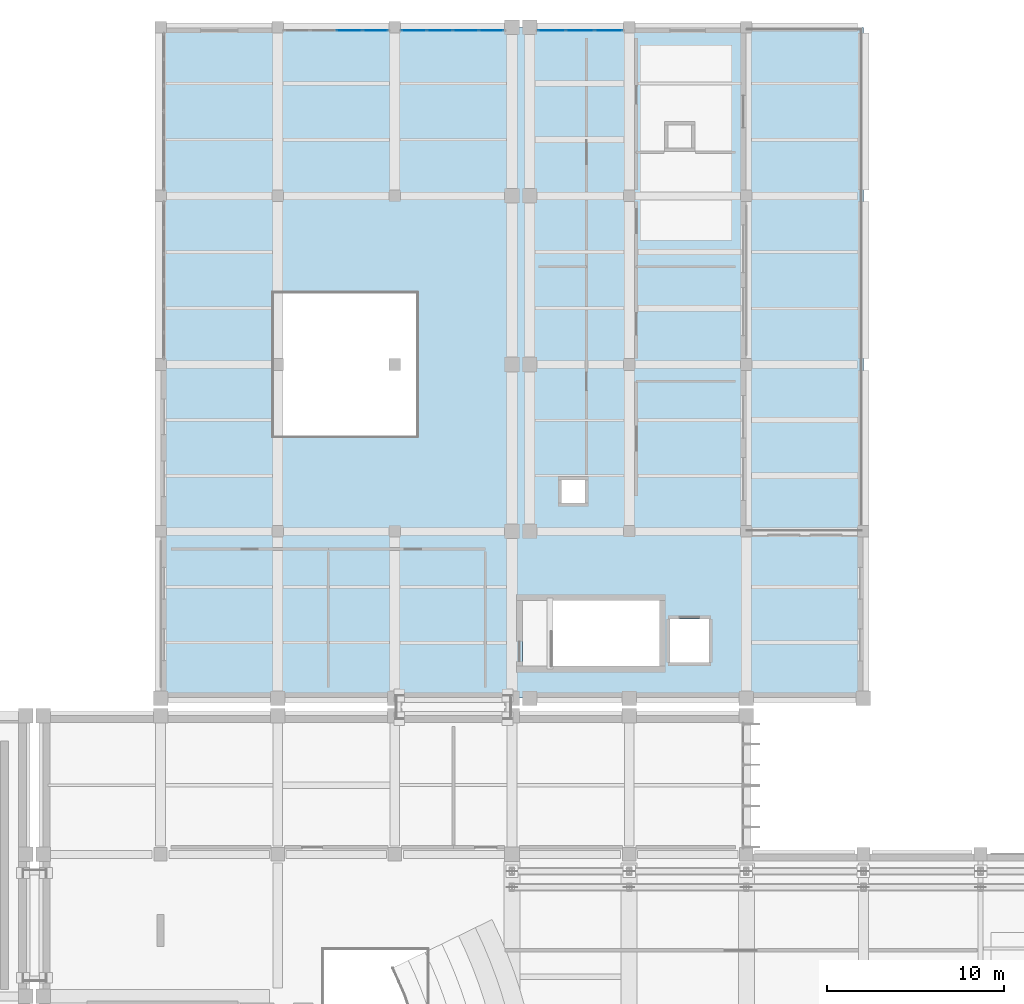
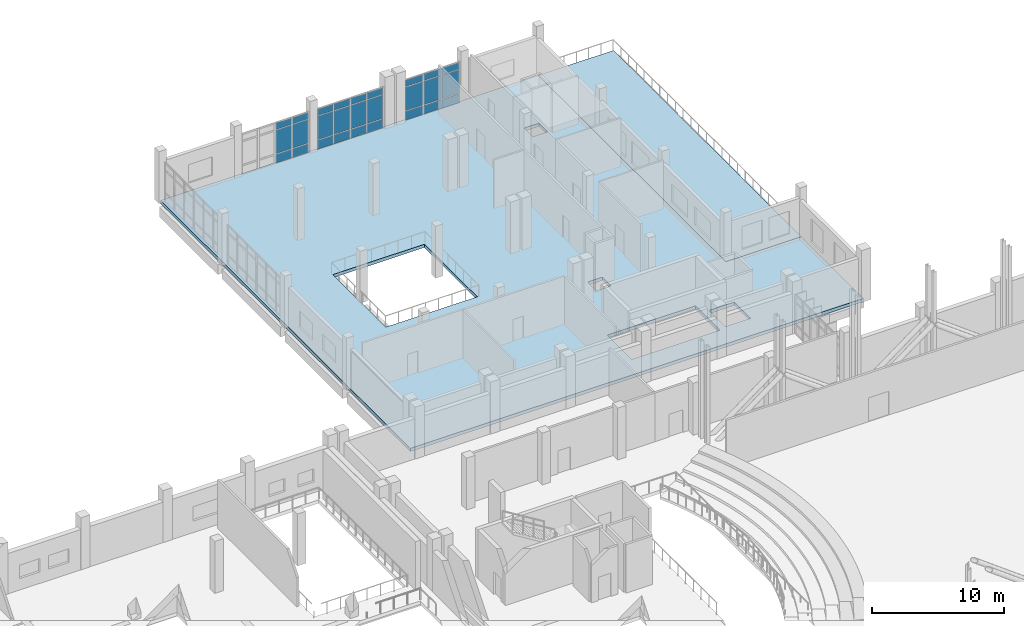
# One storey, part 45 of 73: 27 plates, 2 slabs, 3 elements without a shape of their own.
"""IFC4 building model written with IfcOpenShell, lengths in metres."""

from ifc_helpers import new_model, si_unit, direction, frame, origin, origin_2d, place, context, subcontext, project, spatial, polyline, rectangle, outline, extrude, material, layer, layer_set, type_object, element, aggregate, save


model = new_model("IFC4")

# Units and contexts
model_context = context("Model", 3, precision=1e-05, world=origin(), true_north=direction((0.0, 1.0)))
body_context = subcontext(model_context, "Body", "Model", "MODEL_VIEW")
ifc_project = project(units=[si_unit("LENGTHUNIT", "METRE"), si_unit("AREAUNIT", "SQUARE_METRE"), si_unit("VOLUMEUNIT", "CUBIC_METRE"), si_unit("PLANEANGLEUNIT", "RADIAN"), si_unit("MASSUNIT", "GRAM", prefix="KILO")], contexts=[model_context])

# Site, building, storey
site_placement = place(None, origin())
site = spatial("IfcSite", under=ifc_project, at=site_placement, CompositionType="ELEMENT")
building_placement = place(site_placement, origin())
building = spatial("IfcBuilding", under=site, at=building_placement, Name="Kelarvand Opera House", CompositionType="ELEMENT")
storey_placement = place(building_placement, frame((0.0, 0.0, 10.199951171875)))
storey = spatial("IfcBuildingStorey", under=building, at=storey_placement, Name="L02", CompositionType="ELEMENT", Elevation=10.199951171875)

# Curtain wall, plates
ifc_material_1 = material(Name="Thermally broken aluminium and low-E glazing", Category="aluminium")
ifc_layer_1 = layer(ifc_material_1, 0.179931640625, Name="Thermally broken aluminium and low-E glazing", Category="aluminium")
ifc_layer_set_1 = layer_set([ifc_layer_1], Name="Thermally broken aluminium and low-E glazing")
curtain_wall_type_1 = type_object("IfcCurtainWallType", Name="Unitised Low-E Curtain Wall 5930x3830 Mod 1450 CWF-48", PredefinedType="USERDEFINED", material=ifc_layer_set_1)
curtain_wall_1_placement = place(storey_placement, origin())
curtain_wall_1 = element("IfcCurtainWall", 1, at=curtain_wall_1_placement, inside=storey, type_object=curtain_wall_type_1, Name="V5 L02 Curtain Wall CWF-48 (194)", ObjectType="UNITISED CURTAIN WALL", PredefinedType="USERDEFINED")
ifc_material_2 = material(Name="Low-E laminated double glazing", Category="glass")
ifc_layer_2 = layer(ifc_material_2, 0.031982421875, Name="Low-E laminated double glazing", Category="glass")
ifc_layer_set_2 = layer_set([ifc_layer_2], Name="Low-E laminated double glazing")
plate_type = type_object("IfcPlateType", Name="Low-E Argon Double Glazed Curtain Panel 32mm", PredefinedType="CURTAIN_PANEL", material=ifc_layer_set_2)
plate_1_placement = place(storey_placement, frame((106.2412109375, 124.820068359375, 0.06494140625), z_axis=(0.0, 0.0, 1.0), x_axis=(1.0, 0.0, 0.0)))
plate_1 = element("IfcPlate", 2, at=plate_1_placement, type_object=plate_type, Name="CWF-48 panel 3.1", PredefinedType="CURTAIN_PANEL", context=body_context, shape_type="SweptSolid", body=[
    extrude(rectangle(XDim=1.41748046875, YDim=0.031982421875, at=origin_2d()), origin(), (0.0, 0.0, 1.0), 0.802490234375),
])
plate_2_placement = place(storey_placement, frame((106.2412109375, 124.820068359375, 0.9326171875), z_axis=(0.0, 0.0, 1.0), x_axis=(1.0, 0.0, 0.0)))
plate_2 = element("IfcPlate", 3, at=plate_2_placement, type_object=plate_type, Name="CWF-48 panel 3.2", PredefinedType="CURTAIN_PANEL", context=body_context, shape_type="SweptSolid", body=[
    extrude(rectangle(XDim=1.41748046875, YDim=0.031982421875, at=origin_2d()), origin(), (0.0, 0.0, 1.0), 2.1650390625),
])
plate_3_placement = place(storey_placement, frame((106.2412109375, 124.820068359375, 3.16259765625), z_axis=(0.0, 0.0, 1.0), x_axis=(1.0, 0.0, 0.0)))
plate_3 = element("IfcPlate", 4, at=plate_3_placement, type_object=plate_type, Name="CWF-48 panel 3.3", PredefinedType="CURTAIN_PANEL", context=body_context, shape_type="SweptSolid", body=[
    extrude(rectangle(XDim=1.41748046875, YDim=0.031982421875, at=origin_2d()), origin(), (0.0, 0.0, 1.0), 0.6025390625),
])
plate_4_placement = place(storey_placement, frame((107.70751953125, 124.820068359375, 0.06494140625), z_axis=(0.0, 0.0, 1.0), x_axis=(1.0, 0.0, 0.0)))
plate_4 = element("IfcPlate", 5, at=plate_4_placement, type_object=plate_type, Name="CWF-48 panel 4.1", PredefinedType="CURTAIN_PANEL", context=body_context, shape_type="SweptSolid", body=[
    extrude(rectangle(XDim=1.385009765625, YDim=0.031982421875, at=origin_2d()), origin(), (0.0, 0.0, 1.0), 0.802490234375),
])
plate_5_placement = place(storey_placement, frame((107.70751953125, 124.820068359375, 0.9326171875), z_axis=(0.0, 0.0, 1.0), x_axis=(1.0, 0.0, 0.0)))
plate_5 = element("IfcPlate", 6, at=plate_5_placement, type_object=plate_type, Name="CWF-48 panel 4.2", PredefinedType="CURTAIN_PANEL", context=body_context, shape_type="SweptSolid", body=[
    extrude(rectangle(XDim=1.385009765625, YDim=0.031982421875, at=origin_2d()), origin(), (0.0, 0.0, 1.0), 2.1650390625),
])
plate_6_placement = place(storey_placement, frame((107.70751953125, 124.820068359375, 3.16259765625), z_axis=(0.0, 0.0, 1.0), x_axis=(1.0, 0.0, 0.0)))
plate_6 = element("IfcPlate", 7, at=plate_6_placement, type_object=plate_type, Name="CWF-48 panel 4.3", PredefinedType="CURTAIN_PANEL", context=body_context, shape_type="SweptSolid", body=[
    extrude(rectangle(XDim=1.385009765625, YDim=0.031982421875, at=origin_2d()), origin(), (0.0, 0.0, 1.0), 0.6025390625),
])
aggregate(curtain_wall_1, [plate_1, plate_2, plate_3, plate_4, plate_5, plate_6])

ifc_layer_3 = layer(ifc_material_1, 0.179931640625, Name="Thermally broken aluminium and low-E glazing", Category="aluminium")
ifc_layer_set_3 = layer_set([ifc_layer_3], Name="Thermally broken aluminium and low-E glazing")
curtain_wall_type_2 = type_object("IfcCurtainWallType", Name="Unitised Low-E Curtain Wall 5845x3830 Mod 1450 CWF-49", PredefinedType="USERDEFINED", material=ifc_layer_set_3)
curtain_wall_2_placement = place(storey_placement, origin())
curtain_wall_2 = element("IfcCurtainWall", 8, at=curtain_wall_2_placement, inside=storey, type_object=curtain_wall_type_2, Name="V5 L02 Curtain Wall CWF-49 (195)", ObjectType="UNITISED CURTAIN WALL", PredefinedType="USERDEFINED")
plate_7_placement = place(storey_placement, frame((109.8818359375, 124.820068359375, 0.06494140625), z_axis=(0.0, 0.0, 1.0), x_axis=(1.0, 0.0, 0.0)))
plate_7 = element("IfcPlate", 9, at=plate_7_placement, type_object=plate_type, Name="CWF-49 panel 1.1", PredefinedType="CURTAIN_PANEL", context=body_context, shape_type="SweptSolid", body=[
    extrude(rectangle(XDim=1.36376953125, YDim=0.031982421875, at=origin_2d()), origin(), (0.0, 0.0, 1.0), 0.802490234375),
])
plate_8_placement = place(storey_placement, frame((109.8818359375, 124.820068359375, 0.9326171875), z_axis=(0.0, 0.0, 1.0), x_axis=(1.0, 0.0, 0.0)))
plate_8 = element("IfcPlate", 10, at=plate_8_placement, type_object=plate_type, Name="CWF-49 panel 1.2", PredefinedType="CURTAIN_PANEL", context=body_context, shape_type="SweptSolid", body=[
    extrude(rectangle(XDim=1.36376953125, YDim=0.031982421875, at=origin_2d()), origin(), (0.0, 0.0, 1.0), 2.1650390625),
])
plate_9_placement = place(storey_placement, frame((109.8818359375, 124.820068359375, 3.16259765625), z_axis=(0.0, 0.0, 1.0), x_axis=(1.0, 0.0, 0.0)))
plate_9 = element("IfcPlate", 11, at=plate_9_placement, type_object=plate_type, Name="CWF-49 panel 1.3", PredefinedType="CURTAIN_PANEL", context=body_context, shape_type="SweptSolid", body=[
    extrude(rectangle(XDim=1.36376953125, YDim=0.031982421875, at=origin_2d()), origin(), (0.0, 0.0, 1.0), 0.6025390625),
])
plate_10_placement = place(storey_placement, frame((111.326904296875, 124.820068359375, 0.06494140625), z_axis=(0.0, 0.0, 1.0), x_axis=(1.0, 0.0, 0.0)))
plate_10 = element("IfcPlate", 12, at=plate_10_placement, type_object=plate_type, Name="CWF-49 panel 2.1", PredefinedType="CURTAIN_PANEL", context=body_context, shape_type="SweptSolid", body=[
    extrude(rectangle(XDim=1.396240234375, YDim=0.031982421875, at=origin_2d()), origin(), (0.0, 0.0, 1.0), 0.802490234375),
])
plate_11_placement = place(storey_placement, frame((111.326904296875, 124.820068359375, 0.9326171875), z_axis=(0.0, 0.0, 1.0), x_axis=(1.0, 0.0, 0.0)))
plate_11 = element("IfcPlate", 13, at=plate_11_placement, type_object=plate_type, Name="CWF-49 panel 2.2", PredefinedType="CURTAIN_PANEL", context=body_context, shape_type="SweptSolid", body=[
    extrude(rectangle(XDim=1.396240234375, YDim=0.031982421875, at=origin_2d()), origin(), (0.0, 0.0, 1.0), 2.1650390625),
])
plate_12_placement = place(storey_placement, frame((111.326904296875, 124.820068359375, 3.16259765625), z_axis=(0.0, 0.0, 1.0), x_axis=(1.0, 0.0, 0.0)))
plate_12 = element("IfcPlate", 14, at=plate_12_placement, type_object=plate_type, Name="CWF-49 panel 2.3", PredefinedType="CURTAIN_PANEL", context=body_context, shape_type="SweptSolid", body=[
    extrude(rectangle(XDim=1.396240234375, YDim=0.031982421875, at=origin_2d()), origin(), (0.0, 0.0, 1.0), 0.6025390625),
])
plate_13_placement = place(storey_placement, frame((112.7880859375, 124.820068359375, 0.06494140625), z_axis=(0.0, 0.0, 1.0), x_axis=(1.0, 0.0, 0.0)))
plate_13 = element("IfcPlate", 15, at=plate_13_placement, type_object=plate_type, Name="CWF-49 panel 3.1", PredefinedType="CURTAIN_PANEL", context=body_context, shape_type="SweptSolid", body=[
    extrude(rectangle(XDim=1.396240234375, YDim=0.031982421875, at=origin_2d()), origin(), (0.0, 0.0, 1.0), 0.802490234375),
])
plate_14_placement = place(storey_placement, frame((112.7880859375, 124.820068359375, 0.9326171875), z_axis=(0.0, 0.0, 1.0), x_axis=(1.0, 0.0, 0.0)))
plate_14 = element("IfcPlate", 16, at=plate_14_placement, type_object=plate_type, Name="CWF-49 panel 3.2", PredefinedType="CURTAIN_PANEL", context=body_context, shape_type="SweptSolid", body=[
    extrude(rectangle(XDim=1.396240234375, YDim=0.031982421875, at=origin_2d()), origin(), (0.0, 0.0, 1.0), 2.1650390625),
])
plate_15_placement = place(storey_placement, frame((112.7880859375, 124.820068359375, 3.16259765625), z_axis=(0.0, 0.0, 1.0), x_axis=(1.0, 0.0, 0.0)))
plate_15 = element("IfcPlate", 17, at=plate_15_placement, type_object=plate_type, Name="CWF-49 panel 3.3", PredefinedType="CURTAIN_PANEL", context=body_context, shape_type="SweptSolid", body=[
    extrude(rectangle(XDim=1.396240234375, YDim=0.031982421875, at=origin_2d()), origin(), (0.0, 0.0, 1.0), 0.6025390625),
])
plate_16_placement = place(storey_placement, frame((114.233154296875, 124.820068359375, 0.06494140625), z_axis=(0.0, 0.0, 1.0), x_axis=(1.0, 0.0, 0.0)))
plate_16 = element("IfcPlate", 18, at=plate_16_placement, type_object=plate_type, Name="CWF-49 panel 4.1", PredefinedType="CURTAIN_PANEL", context=body_context, shape_type="SweptSolid", body=[
    extrude(rectangle(XDim=1.36376953125, YDim=0.031982421875, at=origin_2d()), origin(), (0.0, 0.0, 1.0), 0.802490234375),
])
plate_17_placement = place(storey_placement, frame((114.233154296875, 124.820068359375, 0.9326171875), z_axis=(0.0, 0.0, 1.0), x_axis=(1.0, 0.0, 0.0)))
plate_17 = element("IfcPlate", 19, at=plate_17_placement, type_object=plate_type, Name="CWF-49 panel 4.2", PredefinedType="CURTAIN_PANEL", context=body_context, shape_type="SweptSolid", body=[
    extrude(rectangle(XDim=1.36376953125, YDim=0.031982421875, at=origin_2d()), origin(), (0.0, 0.0, 1.0), 2.1650390625),
])
plate_18_placement = place(storey_placement, frame((114.233154296875, 124.820068359375, 3.16259765625), z_axis=(0.0, 0.0, 1.0), x_axis=(1.0, 0.0, 0.0)))
plate_18 = element("IfcPlate", 20, at=plate_18_placement, type_object=plate_type, Name="CWF-49 panel 4.3", PredefinedType="CURTAIN_PANEL", context=body_context, shape_type="SweptSolid", body=[
    extrude(rectangle(XDim=1.36376953125, YDim=0.031982421875, at=origin_2d()), origin(), (0.0, 0.0, 1.0), 0.6025390625),
])
aggregate(curtain_wall_2, [plate_7, plate_8, plate_9, plate_10, plate_11, plate_12, plate_13, plate_14, plate_15, plate_16, plate_17, plate_18])

ifc_layer_4 = layer(ifc_material_1, 0.179931640625, Name="Thermally broken aluminium and low-E glazing", Category="aluminium")
ifc_layer_set_4 = layer_set([ifc_layer_4], Name="Thermally broken aluminium and low-E glazing")
curtain_wall_type_3 = type_object("IfcCurtainWallType", Name="Unitised Low-E Curtain Wall 4845x3830 Mod 1450 CWF-50", PredefinedType="USERDEFINED", material=ifc_layer_set_4)
curtain_wall_3_placement = place(storey_placement, origin())
curtain_wall_3 = element("IfcCurtainWall", 21, at=curtain_wall_3_placement, inside=storey, type_object=curtain_wall_type_3, Name="V5 L02 Curtain Wall CWF-50 (196)", ObjectType="UNITISED CURTAIN WALL", PredefinedType="USERDEFINED")
plate_19_placement = place(storey_placement, frame((117.643798828125, 124.820068359375, 0.06494140625), z_axis=(0.0, 0.0, 1.0), x_axis=(1.0, 0.0, 0.0)))
plate_19 = element("IfcPlate", 22, at=plate_19_placement, type_object=plate_type, Name="CWF-50 panel 1.1", PredefinedType="CURTAIN_PANEL", context=body_context, shape_type="SweptSolid", body=[
    extrude(rectangle(XDim=1.517578125, YDim=0.031982421875, at=origin_2d()), origin(), (0.0, 0.0, 1.0), 0.802490234375),
])
plate_20_placement = place(storey_placement, frame((117.643798828125, 124.820068359375, 0.9326171875), z_axis=(0.0, 0.0, 1.0), x_axis=(1.0, 0.0, 0.0)))
plate_20 = element("IfcPlate", 23, at=plate_20_placement, type_object=plate_type, Name="CWF-50 panel 1.2", PredefinedType="CURTAIN_PANEL", context=body_context, shape_type="SweptSolid", body=[
    extrude(rectangle(XDim=1.517578125, YDim=0.031982421875, at=origin_2d()), origin(), (0.0, 0.0, 1.0), 2.1650390625),
])
plate_21_placement = place(storey_placement, frame((117.643798828125, 124.820068359375, 3.16259765625), z_axis=(0.0, 0.0, 1.0), x_axis=(1.0, 0.0, 0.0)))
plate_21 = element("IfcPlate", 24, at=plate_21_placement, type_object=plate_type, Name="CWF-50 panel 1.3", PredefinedType="CURTAIN_PANEL", context=body_context, shape_type="SweptSolid", body=[
    extrude(rectangle(XDim=1.517578125, YDim=0.031982421875, at=origin_2d()), origin(), (0.0, 0.0, 1.0), 0.6025390625),
])
plate_22_placement = place(storey_placement, frame((119.242431640625, 124.820068359375, 0.06494140625), z_axis=(0.0, 0.0, 1.0), x_axis=(1.0, 0.0, 0.0)))
plate_22 = element("IfcPlate", 25, at=plate_22_placement, type_object=plate_type, Name="CWF-50 panel 2.1", PredefinedType="CURTAIN_PANEL", context=body_context, shape_type="SweptSolid", body=[
    extrude(rectangle(XDim=1.550048828125, YDim=0.031982421875, at=origin_2d()), origin(), (0.0, 0.0, 1.0), 0.802490234375),
])
plate_23_placement = place(storey_placement, frame((119.242431640625, 124.820068359375, 0.9326171875), z_axis=(0.0, 0.0, 1.0), x_axis=(1.0, 0.0, 0.0)))
plate_23 = element("IfcPlate", 26, at=plate_23_placement, type_object=plate_type, Name="CWF-50 panel 2.2", PredefinedType="CURTAIN_PANEL", context=body_context, shape_type="SweptSolid", body=[
    extrude(rectangle(XDim=1.550048828125, YDim=0.031982421875, at=origin_2d()), origin(), (0.0, 0.0, 1.0), 2.1650390625),
])
plate_24_placement = place(storey_placement, frame((119.242431640625, 124.820068359375, 3.16259765625), z_axis=(0.0, 0.0, 1.0), x_axis=(1.0, 0.0, 0.0)))
plate_24 = element("IfcPlate", 27, at=plate_24_placement, type_object=plate_type, Name="CWF-50 panel 2.3", PredefinedType="CURTAIN_PANEL", context=body_context, shape_type="SweptSolid", body=[
    extrude(rectangle(XDim=1.550048828125, YDim=0.031982421875, at=origin_2d()), origin(), (0.0, 0.0, 1.0), 0.6025390625),
])
plate_25_placement = place(storey_placement, frame((120.84130859375, 124.820068359375, 0.06494140625), z_axis=(0.0, 0.0, 1.0), x_axis=(1.0, 0.0, 0.0)))
plate_25 = element("IfcPlate", 28, at=plate_25_placement, type_object=plate_type, Name="CWF-50 panel 3.1", PredefinedType="CURTAIN_PANEL", context=body_context, shape_type="SweptSolid", body=[
    extrude(rectangle(XDim=1.517578125, YDim=0.031982421875, at=origin_2d()), origin(), (0.0, 0.0, 1.0), 0.802490234375),
])
plate_26_placement = place(storey_placement, frame((120.84130859375, 124.820068359375, 0.9326171875), z_axis=(0.0, 0.0, 1.0), x_axis=(1.0, 0.0, 0.0)))
plate_26 = element("IfcPlate", 29, at=plate_26_placement, type_object=plate_type, Name="CWF-50 panel 3.2", PredefinedType="CURTAIN_PANEL", context=body_context, shape_type="SweptSolid", body=[
    extrude(rectangle(XDim=1.517578125, YDim=0.031982421875, at=origin_2d()), origin(), (0.0, 0.0, 1.0), 2.1650390625),
])
plate_27_placement = place(storey_placement, frame((120.84130859375, 124.820068359375, 3.16259765625), z_axis=(0.0, 0.0, 1.0), x_axis=(1.0, 0.0, 0.0)))
plate_27 = element("IfcPlate", 30, at=plate_27_placement, type_object=plate_type, Name="CWF-50 panel 3.3", PredefinedType="CURTAIN_PANEL", context=body_context, shape_type="SweptSolid", body=[
    extrude(rectangle(XDim=1.517578125, YDim=0.031982421875, at=origin_2d()), origin(), (0.0, 0.0, 1.0), 0.6025390625),
])
aggregate(curtain_wall_3, [plate_19, plate_20, plate_21, plate_22, plate_23, plate_24, plate_25, plate_26, plate_27])

# Slabs
ifc_material_3 = material(Name="Concrete C35/45", Category="concrete")
ifc_layer_5 = layer(ifc_material_3, 0.25, Name="Concrete C35/45", Category="concrete")
ifc_layer_set_5 = layer_set([ifc_layer_5], Name="Concrete C35/45")
slab_type_1 = type_object("IfcSlabType", Name="Planted Roof Garden Terrace Slab 250", PredefinedType="FLOOR", material=ifc_layer_set_5)
slab_1_placement = place(storey_placement, frame((0.0, 0.0, -0.25)))
element("IfcSlab", 31, at=slab_1_placement, inside=storey, type_object=slab_type_1, Name="V5 L02 Planted Roof Terrace 1", PredefinedType="FLOOR", context=body_context, shape_type="SweptSolid", body=[
    extrude(outline(polyline([(128.60009765625, 96.60009765625), (135.199951171875, 96.60009765625), (135.199951171875, 125.0), (128.60009765625, 125.0), (128.60009765625, 96.60009765625)])), origin(), (0.0, 0.0, 1.0), 0.25),
])
ifc_layer_6 = layer(ifc_material_3, 0.300048828125, Name="Concrete C35/45", Category="concrete")
ifc_layer_set_6 = layer_set([ifc_layer_6], Name="Concrete C35/45")
slab_type_2 = type_object("IfcSlabType", Name="Suspended Floor Slab 300", PredefinedType="FLOOR", material=ifc_layer_set_6)
slab_2_placement = place(storey_placement, frame((0.0, 0.0, -0.300048828125)))
element("IfcSlab", 32, at=slab_2_placement, inside=storey, type_object=slab_type_2, Name="V5 L02 Structural Slab 37", PredefinedType="FLOOR", context=body_context, shape_type="SweptSolid", body=[
    extrude(outline(polyline([(135.199951171875, 96.60009765625), (135.199951171875, 87.199951171875), (95.60009765625, 87.199951171875), (95.60009765625, 96.60009765625), (95.60009765625, 125.0), (128.60009765625, 125.0), (128.60009765625, 96.60009765625), (135.199951171875, 96.60009765625)]), holes=[polyline([(124.300048828125, 91.64990234375), (126.5, 91.64990234375), (126.5, 89.199951171875), (124.300048828125, 89.199951171875), (124.300048828125, 91.64990234375)]), polyline([(116.0, 92.699951171875), (123.699951171875, 92.699951171875), (123.699951171875, 89.0), (116.0, 89.0), (116.0, 92.699951171875)]), polyline([(118.199951171875, 99.5), (119.5, 99.5), (119.5, 98.199951171875), (118.199951171875, 98.199951171875), (118.199951171875, 99.5)]), polyline([(110.0, 110.0), (110.0, 102.0), (102.0, 102.0), (102.0, 110.0), (110.0, 110.0)]), polyline([(125.5, 119.5), (125.5, 118.199951171875), (124.199951171875, 118.199951171875), (124.199951171875, 119.5), (125.5, 119.5)])]), origin(), (0.0, 0.0, 1.0), 0.300048828125),
])

save(model, "model.ifc")
